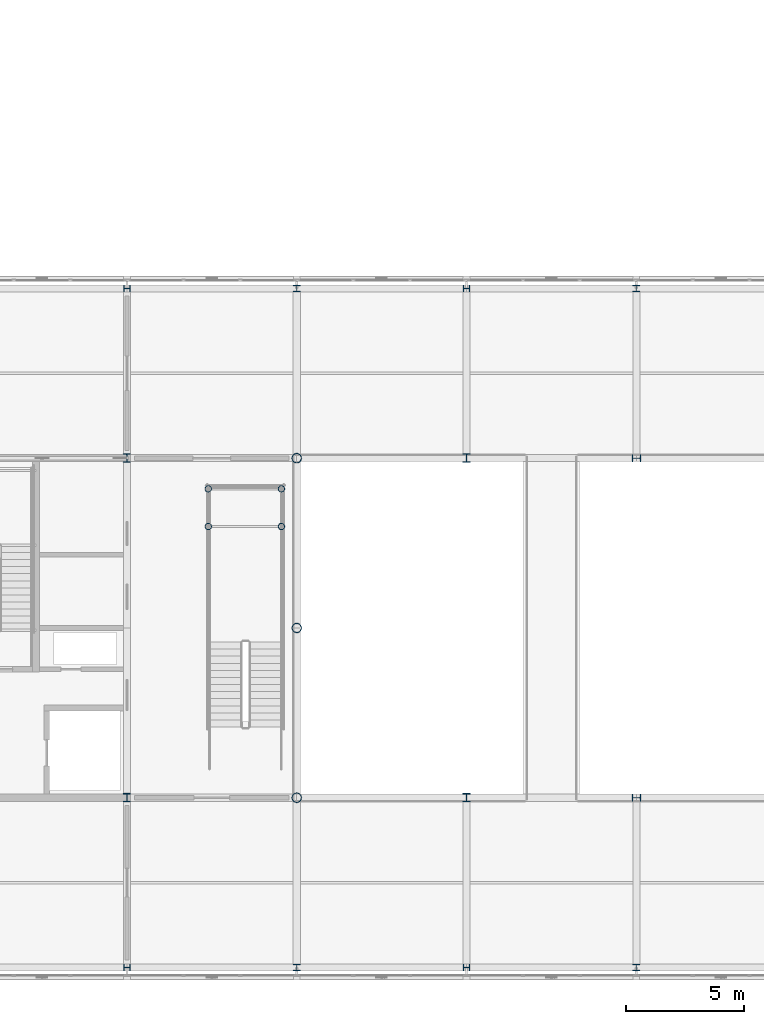
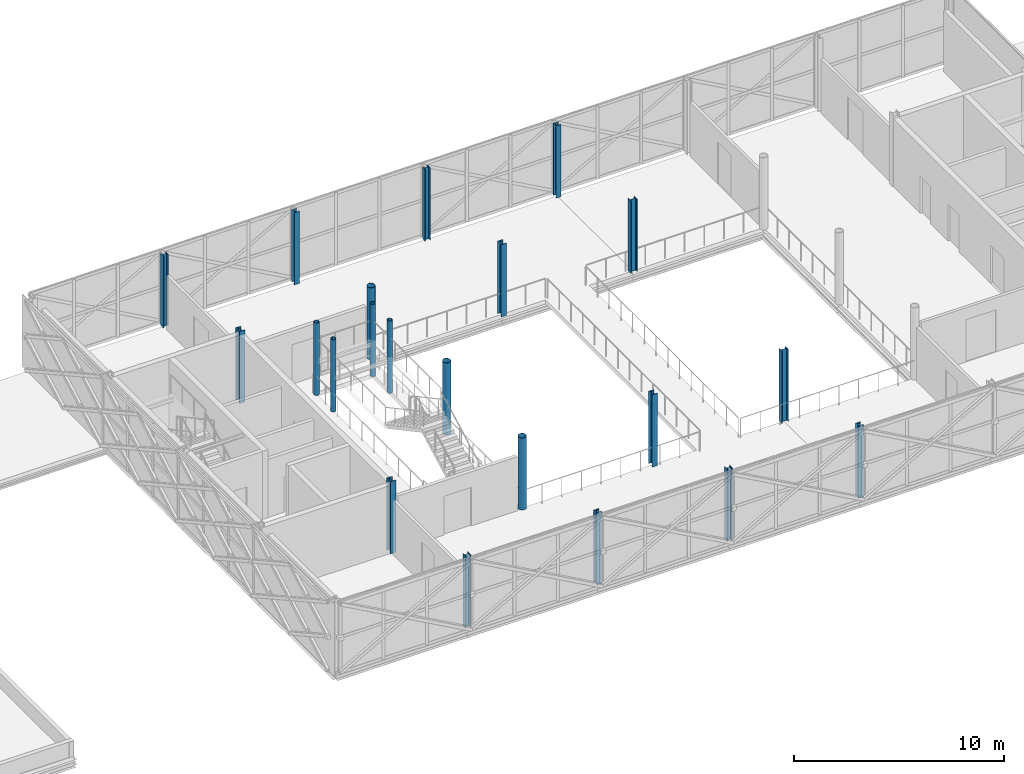
# One storey, part 4 of 103: 21 columns.
"""IFC4 building model written with IfcOpenShell, lengths in metres."""

import ifcopenshell
import ifcopenshell.guid

model = None  # the IFC model being written
_history = None  # IfcOwnerHistory: only IFC2X3 demands one
_inside = {}  # id of a spatial element -> (the spatial element, [elements in it])
_under = {}  # id of a project, library or spatial element -> (it, [spatial elements below it])
_declared = {}  # id of a project -> (the project, [libraries it declares])
_typed = {}  # id of a type object -> (the type object, [elements of that type])
_made_of = {}  # id of a material, layer set ... -> (it, [elements and type objects made of it])


def new_model(schema):
    """Start an empty IFC model of exactly this schema.

    Asked for "IFC4X3", IfcOpenShell would pick the latest addendum, in which some entities
    have other attributes; the version numbers below select the first issue.
    IFC2X3 requires an IfcOwnerHistory on every rooted entity: one is made here for all.
    """
    global model, _history
    if schema == "IFC4X3":
        model = ifcopenshell.file(schema_version=(4, 3, 0, 0))
    else:
        model = ifcopenshell.file(schema=schema)
    _inside.clear()
    _under.clear()
    _declared.clear()
    _typed.clear()
    _made_of.clear()
    _history = None
    if model.schema == "IFC2X3":
        org = make("IfcOrganization", Name="unknown")
        user = make(
            "IfcPersonAndOrganization",
            ThePerson=make("IfcPerson", FamilyName="unknown"),
            TheOrganization=org,
        )
        app = make(
            "IfcApplication",
            ApplicationDeveloper=org,
            Version="unknown",
            ApplicationFullName="unknown",
            ApplicationIdentifier="unknown",
        )
        _history = make(
            "IfcOwnerHistory",
            OwningUser=user,
            OwningApplication=app,
            ChangeAction="ADDED",
            CreationDate=0,
        )
    return model


def make(cls, **values):
    """One entity of the class cls with the attributes given. An attribute that is None is left unset."""
    return model.create_entity(
        cls, **{name: value for name, value in values.items() if value is not None}
    )


def rooted(cls, **values):
    """An entity with a GlobalId (a new one), such as an element, a storey or a relation."""
    return make(cls, GlobalId=ifcopenshell.guid.new(), OwnerHistory=_history, **values)


def si_unit(unit_type, name, prefix=None):
    """IfcSIUnit, for example si_unit("LENGTHUNIT", "METRE", prefix="MILLI")."""
    return make("IfcSIUnit", UnitType=unit_type, Prefix=prefix, Name=name)


def assignment(units):
    """IfcUnitAssignment: the units of a project."""
    return None if units is None else make("IfcUnitAssignment", Units=units)


def point(xyz):
    """IfcCartesianPoint."""
    return None if xyz is None else make("IfcCartesianPoint", Coordinates=xyz)


def direction(xyz):
    """IfcDirection."""
    return None if xyz is None else make("IfcDirection", DirectionRatios=xyz)


def frame(location, z_axis=None, x_axis=None):
    """IfcAxis2Placement3D, a coordinate frame: its origin and axes. An axis left out is left unset."""
    return make(
        "IfcAxis2Placement3D",
        Location=point(location),
        Axis=direction(z_axis),
        RefDirection=direction(x_axis),
    )


def frame_2d(location, x_axis=None):
    """IfcAxis2Placement2D, a coordinate frame in the plane: its origin and x axis."""
    return make(
        "IfcAxis2Placement2D", Location=point(location), RefDirection=direction(x_axis)
    )


def origin():
    """The frame at (0, 0, 0) with its axes left unset."""
    return frame((0.0, 0.0, 0.0))


def origin_2d():
    """The frame at (0, 0) in the plane with its x axis left unset."""
    return frame_2d((0.0, 0.0))


def place(relative_to, where):
    """IfcLocalPlacement: puts the frame where relative to a parent placement (None: the world)."""
    return make(
        "IfcLocalPlacement", PlacementRelTo=relative_to, RelativePlacement=where
    )


def context(
    kind, dimensions, precision=None, world=None, true_north=None, identifier=None
):
    """IfcGeometricRepresentationContext, for example the 3D "Model" context."""
    return make(
        "IfcGeometricRepresentationContext",
        ContextIdentifier=identifier,
        ContextType=kind,
        CoordinateSpaceDimension=dimensions,
        Precision=precision,
        WorldCoordinateSystem=world,
        TrueNorth=true_north,
    )


def subcontext(parent, identifier, kind, view, scale=None):
    """IfcGeometricRepresentationSubContext, for example "Body" below "Model"."""
    return make(
        "IfcGeometricRepresentationSubContext",
        ContextIdentifier=identifier,
        ContextType=kind,
        ParentContext=parent,
        TargetScale=scale,
        TargetView=view,
    )


def project(units=None, contexts=None):
    """IfcProject with its units and contexts."""
    return rooted(
        "IfcProject",
        Name="project",
        RepresentationContexts=contexts,
        UnitsInContext=assignment(units),
    )


def spatial(cls, under=None, at=None, **own):
    """A site, building, storey or space (cls), placed at a placement, below another one or the project."""
    s = rooted(cls, ObjectPlacement=at, **own)
    if under is not None:
        _under.setdefault(under.id(), (under, []))[1].append(s)
    return s


def profile(cls, at=None, kind="AREA", **sizes):
    """A parametric profile (cls). Its sizes go by their IFC names, for example OverallWidth=200.0."""
    return make(cls, ProfileType=kind, Position=at, **sizes)


def hollow_circle(**sizes):
    """IfcCircleHollowProfileDef."""
    return profile("IfcCircleHollowProfileDef", **sizes)


def i_section(**sizes):
    """IfcIShapeProfileDef."""
    return profile("IfcIShapeProfileDef", **sizes)


def extrude(swept, where, along, depth):
    """IfcExtrudedAreaSolid: the profile swept, set in the frame where, extruded along a direction by depth."""
    return make(
        "IfcExtrudedAreaSolid",
        SweptArea=swept,
        Position=where,
        ExtrudedDirection=direction(along),
        Depth=depth,
    )


def shape(context_of_items, identifier, shape_type, items):
    """IfcShapeRepresentation: the items that make up one representation, for example the "Body"."""
    return make(
        "IfcShapeRepresentation",
        ContextOfItems=context_of_items,
        RepresentationIdentifier=identifier,
        RepresentationType=shape_type,
        Items=items,
    )


def material(Name=None, Category=None):
    """IfcMaterial."""
    return make("IfcMaterial", Name=Name, Category=Category)


def material_profile(
    of_material, cross_section, Name=None, Category=None, Priority=None
):
    """IfcMaterialProfile: a cross section and its material."""
    return make(
        "IfcMaterialProfile",
        Name=Name,
        Material=of_material,
        Profile=cross_section,
        Priority=Priority,
        Category=Category,
    )


def profile_set(profiles, Name=None, composite=None):
    """IfcMaterialProfileSet."""
    return make(
        "IfcMaterialProfileSet",
        Name=Name,
        MaterialProfiles=profiles,
        CompositeProfile=composite,
    )


def made_of(thing, what):
    """Note that an element or type object is made of a material, layer set ...; save() writes the relation."""
    if what is not None:
        _made_of.setdefault(what.id(), (what, []))[1].append(thing)
    return thing


def type_object(cls, material=None, **own):
    """A type object (cls), such as IfcWallType, which elements share."""
    return made_of(rooted(cls, **own), material)


def element(
    cls,
    number,
    at=None,
    inside=None,
    cuts=None,
    type_object=None,
    material=None,
    context=None,
    identifier="Body",
    shape_type=None,
    held_by="IfcProductDefinitionShape",
    body=None,
    shapes=None,
    **own,
):
    """One element of the class cls, such as IfcWall. Its Tag is "e" and its number.

    at: its placement. inside: the storey or other place that contains it. cuts: it is an
    opening in that element (IfcRelVoidsElement). A single representation is given by context,
    identifier, shape_type and body (its items); several are given by shapes. held_by: the class
    of the entity that holds the representations. save() writes the other relations.
    """
    e = rooted(cls, Tag="e%d" % number, ObjectPlacement=at, **own)
    if body is not None:
        shapes = [shape(context, identifier, shape_type, body)]
    if shapes is not None:
        e.Representation = make(held_by, Representations=shapes)
    if inside is not None:
        _inside.setdefault(inside.id(), (inside, []))[1].append(e)
    if cuts is not None:
        rooted(
            "IfcRelVoidsElement", RelatingBuildingElement=cuts, RelatedOpeningElement=e
        )
    if type_object is not None:
        _typed.setdefault(type_object.id(), (type_object, []))[1].append(e)
    return made_of(e, material)


def aggregate(whole, parts):
    """IfcRelAggregates: a whole, such as a stair, and the parts it consists of."""
    return rooted("IfcRelAggregates", RelatingObject=whole, RelatedObjects=parts)


def save(model, path):
    """Write the relations noted so far, then the file.

    IfcRelAggregates (storeys below a building ...), IfcRelContainedInSpatialStructure (elements
    in a storey), IfcRelDefinesByType, IfcRelAssociatesMaterial and IfcRelDeclares: one each for
    every whole, place, type object, material and project.
    """
    for whole, parts in _under.values():
        aggregate(whole, parts)
    for where, things in _inside.values():
        rooted(
            "IfcRelContainedInSpatialStructure",
            RelatedElements=things,
            RelatingStructure=where,
        )
    for kind, things in _typed.values():
        rooted("IfcRelDefinesByType", RelatedObjects=things, RelatingType=kind)
    for what, things in _made_of.values():
        rooted("IfcRelAssociatesMaterial", RelatedObjects=things, RelatingMaterial=what)
    for by, libraries in _declared.values():
        rooted("IfcRelDeclares", RelatingContext=by, RelatedDefinitions=libraries)
    model.write(path)


model = new_model("IFC4")

# Units and contexts
model_context = context("Model", 3, precision=1e-05, world=origin(), true_north=direction((0.0, 1.0)))
body_context = subcontext(model_context, "Body", "Model", "MODEL_VIEW")
ifc_project = project(units=[si_unit("LENGTHUNIT", "METRE"), si_unit("AREAUNIT", "SQUARE_METRE"), si_unit("VOLUMEUNIT", "CUBIC_METRE"), si_unit("PLANEANGLEUNIT", "RADIAN"), si_unit("MASSUNIT", "GRAM", prefix="KILO")], contexts=[model_context])

# Site, building, storey
site_placement = place(None, origin())
site = spatial("IfcSite", under=ifc_project, at=site_placement, CompositionType="ELEMENT")
building_placement = place(site_placement, origin())
building = spatial("IfcBuilding", under=site, at=building_placement, Name="Zlatovets Crest Museum", CompositionType="ELEMENT")
storey_placement = place(building_placement, frame((0.0, 0.0, 12.89990234375)))
storey = spatial("IfcBuildingStorey", under=building, at=storey_placement, Name="L03", CompositionType="ELEMENT", Elevation=12.89990234375)

# Columns
ifc_material = material(Name="Structural steel S355J2", Category="steel")
ifc_material_profile_1 = material_profile(ifc_material, i_section(OverallWidth=0.300048828125, OverallDepth=0.360107421875, WebThickness=0.012451171875, FlangeThickness=0.0224609375, FilletRadius=0.027099609375, at=origin_2d()), Name="HEB 360")
ifc_profile_set_1 = profile_set([ifc_material_profile_1], Name="Structural steel S355J2")
column_type_1 = type_object("IfcColumnType", Name="Col_C-08", PredefinedType="COLUMN", material=ifc_profile_set_1)
for number, where, z_axis, x_axis, name in (
    (1, (64.800048828125, 7.199951171875, 0.0), (0.0, 0.0, 1.0), (1.0, 0.0, 0.0), "V2 L03 Column (64.8, 7.2)"),
    (2, (64.800048828125, 21.60009765625, 0.0), (0.0, 0.0, 1.0), (1.0, 0.0, 0.0), "V2 L03 Column (64.8, 21.6)"),
    (3, (79.199951171875, 7.199951171875, 0.0), (0.0, 0.0, 1.0), (1.0, 0.0, 0.0), "V2 L03 Column (79.2, 7.2)"),
    (4, (79.199951171875, 21.60009765625, 0.0), (0.0, 0.0, 1.0), (1.0, 0.0, 0.0), "V2 L03 Column (79.2, 21.6)"),
    (5, (86.39990234375, 7.199951171875, 0.0), (0.0, 0.0, 1.0), (0.0, 1.0, 0.0), "V2 L03 Column (86.4, 7.2)"),
    (6, (86.39990234375, 21.60009765625, 0.0), (0.0, 0.0, 1.0), (0.0, 1.0, 0.0), "V2 L03 Column (86.4, 21.6)"),
):
    element("IfcColumn", number, at=place(storey_placement, frame(where, z_axis=z_axis, x_axis=x_axis)), inside=storey, type_object=column_type_1, Name=name, PredefinedType="COLUMN", context=body_context, shape_type="SweptSolid", body=[
        extrude(i_section(OverallWidth=0.300048828125, OverallDepth=0.360107421875, WebThickness=0.012451171875, FlangeThickness=0.0224609375, FilletRadius=0.027099609375, at=origin_2d()), origin(), (0.0, 0.0, 1.0), 4.2001953125),
    ])
ifc_material_profile_2 = material_profile(ifc_material, hollow_circle(Radius=0.203125, WallThickness=0.01611328125, at=origin_2d()), Name="CHS 406.4x16.0")
ifc_profile_set_2 = profile_set([ifc_material_profile_2], Name="Structural steel S355J2")
column_type_2 = type_object("IfcColumnType", Name="Col_C-12", PredefinedType="COLUMN", material=ifc_profile_set_2)
for number, where, z_axis, x_axis, name in (
    (7, (72.0, 7.199951171875, 0.0), (0.0, 0.0, 1.0), (0.0, 1.0, 0.0), "V2 L03 Column (72.0, 7.2)"),
    (8, (72.0, 14.39990234375, 0.0), (0.0, 0.0, 1.0), (1.0, 0.0, 0.0), "V2 L03 Column (72.0, 14.4)"),
    (9, (72.0, 21.60009765625, 0.0), (0.0, 0.0, 1.0), (0.0, 1.0, 0.0), "V2 L03 Column (72.0, 21.6)"),
):
    element("IfcColumn", number, at=place(storey_placement, frame(where, z_axis=z_axis, x_axis=x_axis)), inside=storey, type_object=column_type_2, Name=name, PredefinedType="COLUMN", context=body_context, shape_type="SweptSolid", body=[
        extrude(hollow_circle(Radius=0.203125, WallThickness=0.01611328125, at=origin_2d()), origin(), (0.0, 0.0, 1.0), 4.2001953125),
    ])
ifc_material_profile_3 = material_profile(ifc_material, hollow_circle(Radius=0.136474609375, WallThickness=0.012451171875, at=origin_2d()), Name="CHS 273.0x12.5")
ifc_profile_set_3 = profile_set([ifc_material_profile_3], Name="Structural steel S355J2")
column_type_3 = type_object("IfcColumnType", Name="Col_C-14", PredefinedType="COLUMN", material=ifc_profile_set_3)
for number, where, z_axis, x_axis, name in (
    (10, (68.25, 18.699951171875, 0.0), (0.0, 0.0, 1.0), (1.0, 0.0, 0.0), "Atrium Feature Stair Support Column"),
    (11, (71.35009765625, 18.699951171875, 0.0), (0.0, 0.0, 1.0), (1.0, 0.0, 0.0), "Atrium Feature Stair Support Column"),
    (12, (68.25, 20.300048828125, 0.0), (0.0, 0.0, 1.0), (1.0, 0.0, 0.0), "Atrium Feature Stair Support Column"),
    (13, (71.35009765625, 20.300048828125, 0.0), (0.0, 0.0, 1.0), (1.0, 0.0, 0.0), "Atrium Feature Stair Support Column"),
):
    element("IfcColumn", number, at=place(storey_placement, frame(where, z_axis=z_axis, x_axis=x_axis)), inside=storey, type_object=column_type_3, Name=name, PredefinedType="COLUMN", context=body_context, shape_type="SweptSolid", body=[
        extrude(hollow_circle(Radius=0.136474609375, WallThickness=0.012451171875, at=origin_2d()), origin(), (0.0, 0.0, 1.0), 4.2001953125),
    ])
ifc_material_profile_4 = material_profile(ifc_material, i_section(OverallWidth=0.280029296875, OverallDepth=0.280029296875, WebThickness=0.010498046875, FlangeThickness=0.01806640625, FilletRadius=0.02392578125, at=origin_2d()), Name="HEB 280")
ifc_profile_set_4 = profile_set([ifc_material_profile_4], Name="Structural steel S355J2")
column_type_4 = type_object("IfcColumnType", Name="Col_C-17", PredefinedType="COLUMN", material=ifc_profile_set_4)
for number, where, z_axis, x_axis, name in (
    (14, (64.800048828125, 0.0, 0.0), (0.0, 0.0, 1.0), (0.0, 1.0, 0.0), "V2 L03 Column (64.8, 0.0)"),
    (15, (64.800048828125, 28.800048828125, 0.0), (0.0, 0.0, 1.0), (0.0, 1.0, 0.0), "V2 L03 Column (64.8, 28.8)"),
    (16, (72.0, 0.0, 0.0), (0.0, 0.0, 1.0), (1.0, 0.0, 0.0), "V2 L03 Column (72.0, 0.0)"),
    (17, (72.0, 28.800048828125, 0.0), (0.0, 0.0, 1.0), (1.0, 0.0, 0.0), "V2 L03 Column (72.0, 28.8)"),
    (18, (79.199951171875, 0.0, 0.0), (0.0, 0.0, 1.0), (0.0, 1.0, 0.0), "V2 L03 Column (79.2, 0.0)"),
    (19, (79.199951171875, 28.800048828125, 0.0), (0.0, 0.0, 1.0), (0.0, 1.0, 0.0), "V2 L03 Column (79.2, 28.8)"),
    (20, (86.39990234375, 0.0, 0.0), (0.0, 0.0, 1.0), (1.0, 0.0, 0.0), "V2 L03 Column (86.4, 0.0)"),
    (21, (86.39990234375, 28.800048828125, 0.0), (0.0, 0.0, 1.0), (1.0, 0.0, 0.0), "V2 L03 Column (86.4, 28.8)"),
):
    element("IfcColumn", number, at=place(storey_placement, frame(where, z_axis=z_axis, x_axis=x_axis)), inside=storey, type_object=column_type_4, Name=name, PredefinedType="COLUMN", context=body_context, shape_type="SweptSolid", body=[
        extrude(i_section(OverallWidth=0.280029296875, OverallDepth=0.280029296875, WebThickness=0.010498046875, FlangeThickness=0.01806640625, FilletRadius=0.02392578125, at=origin_2d()), origin(), (0.0, 0.0, 1.0), 4.2001953125),
    ])

save(model, "model.ifc")
